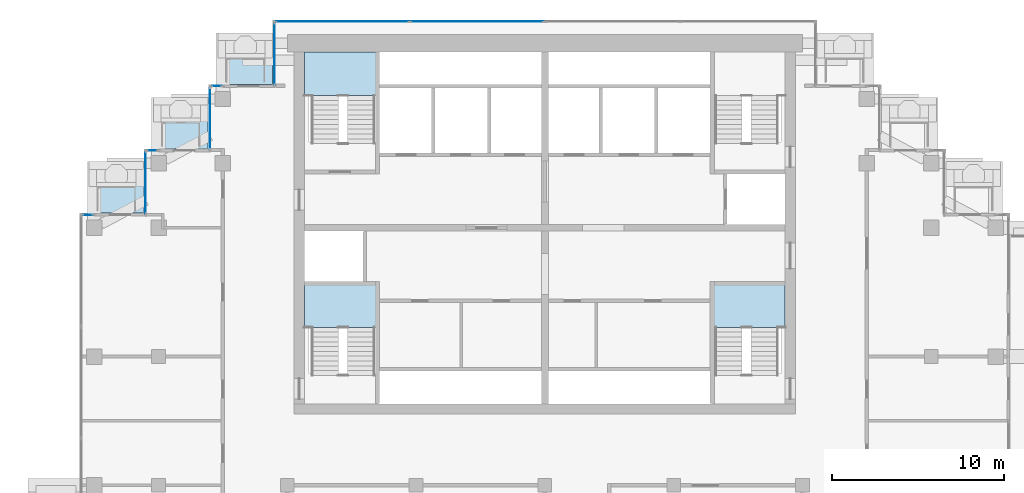
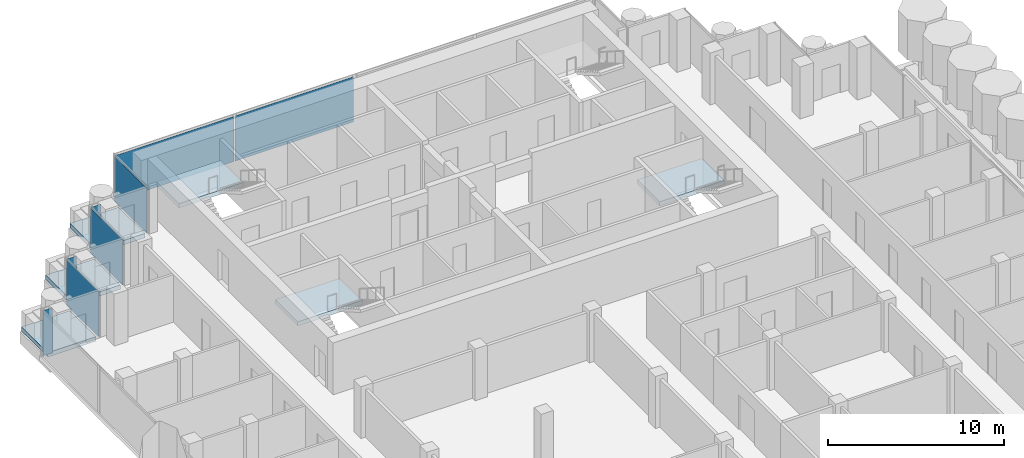
# One storey, part 9 of 19: 8 plates, 6 slabs, 10 elements without a shape of their own.
"""IFC4 building model written with IfcOpenShell, lengths in metres."""

from ifc_helpers import new_model, si_unit, direction, frame, origin, origin_2d, place, context, subcontext, project, spatial, polyline, rectangle, outline, extrude, material, layer, layer_set, type_object, element, aggregate, save


model = new_model("IFC4")

# Units and contexts
model_context = context("Model", 3, precision=1e-05, world=origin(), true_north=direction((0.0, 1.0)))
body_context = subcontext(model_context, "Body", "Model", "MODEL_VIEW")
ifc_project = project(units=[si_unit("LENGTHUNIT", "METRE"), si_unit("AREAUNIT", "SQUARE_METRE"), si_unit("VOLUMEUNIT", "CUBIC_METRE"), si_unit("PLANEANGLEUNIT", "RADIAN"), si_unit("MASSUNIT", "GRAM", prefix="KILO")], contexts=[model_context])

# Site, building, storey
site_placement = place(None, origin())
site = spatial("IfcSite", under=ifc_project, at=site_placement, CompositionType="ELEMENT")
building_placement = place(site_placement, origin())
building = spatial("IfcBuilding", under=site, at=building_placement, Name="Pilkhan Gate Tower", CompositionType="ELEMENT")
storey_placement = place(building_placement, frame((0.0, 0.0, 239.10009765625)))
storey = spatial("IfcBuildingStorey", under=building, at=storey_placement, Name="L62", CompositionType="ELEMENT", Elevation=239.10009765625)

# Slabs
ifc_material_1 = material(Name="Concrete C60/75", Category="concrete")
ifc_layer_1 = layer(ifc_material_1, 0.300048828125)
ifc_layer_set_1 = layer_set([ifc_layer_1], Name="Balcony tray slab TR300")
slab_type_1 = type_object("IfcSlabType", Name="Balcony tray slab TR300", PredefinedType="FLOOR", material=ifc_layer_set_1)
slab_1_placement = place(storey_placement, frame((0.0, 0.0, -0.300048828125)))
element("IfcSlab", 1, at=slab_1_placement, inside=storey, type_object=slab_type_1, Name="Balcony tray L62 N", PredefinedType="FLOOR", context=body_context, shape_type="SweptSolid", body=[
    extrude(outline(polyline([(59.14990234375, 90.85009765625), (59.14990234375, 93.85009765625), (55.949951171875, 93.85009765625), (55.949951171875, 90.85009765625), (59.14990234375, 90.85009765625)])), origin(), (0.0, 0.0, 1.0), 0.300048828125),
])
slab_2_placement = place(storey_placement, frame((0.0, 0.0, -0.300048828125)))
element("IfcSlab", 2, at=slab_2_placement, inside=storey, type_object=slab_type_1, Name="Balcony tray L62 N", PredefinedType="FLOOR", context=body_context, shape_type="SweptSolid", body=[
    extrude(outline(polyline([(55.3798828125, 87.1201171875), (55.3798828125, 90.10009765625), (52.199951171875, 90.10009765625), (52.199951171875, 87.1201171875), (55.3798828125, 87.1201171875)])), origin(), (0.0, 0.0, 1.0), 0.300048828125),
])
slab_3_placement = place(storey_placement, frame((0.0, 0.0, -0.300048828125)))
element("IfcSlab", 3, at=slab_3_placement, inside=storey, type_object=slab_type_1, Name="Balcony tray L62 N", PredefinedType="FLOOR", context=body_context, shape_type="SweptSolid", body=[
    extrude(outline(polyline([(51.6298828125, 83.3701171875), (51.6298828125, 86.35009765625), (48.449951171875, 86.35009765625), (48.449951171875, 83.3701171875), (51.6298828125, 83.3701171875)])), origin(), (0.0, 0.0, 1.0), 0.300048828125),
])

# Curtain wall, plates
ifc_material_2 = material(Name="Pale anodised aluminium, clear low-iron double glazing", Category="aluminium")
curtain_wall_type = type_object("IfcCurtainWallType", Name="Office unitised curtain wall CW-O2", PredefinedType="USERDEFINED", material=ifc_material_2)
curtain_wall_1_placement = place(storey_placement, origin())
curtain_wall_1 = element("IfcCurtainWall", 4, at=curtain_wall_1_placement, inside=storey, type_object=curtain_wall_type, Name="Office unitised curtain wall CW-O2 L62 N", ObjectType="UNITISED CURTAIN WALL", PredefinedType="USERDEFINED")
ifc_material_3 = material(Name="Clear low-iron double glazing", Category="glass")
ifc_layer_2 = layer(ifc_material_3, 0.031982421875)
ifc_layer_set_2 = layer_set([ifc_layer_2], Name="Glass panel CW-O2 32")
plate_type = type_object("IfcPlateType", Name="Glass panel CW-O2 32", PredefinedType="CURTAIN_PANEL", material=ifc_layer_set_2)
plate_1_placement = place(storey_placement, frame((63.203857421875, 94.5, 0.0), z_axis=(0.0, 0.0, 1.0), x_axis=(1.0, 0.0, 0.0)))
plate_1 = element("IfcPlate", 5, at=plate_1_placement, type_object=plate_type, Name="CW-O2 panel 1", PredefinedType="CURTAIN_PANEL", context=body_context, shape_type="SweptSolid", body=[
    extrude(rectangle(XDim=7.777587890625, YDim=0.031982421875, at=origin_2d()), origin(), (0.0, 0.0, 1.0), 3.135009765625),
])
plate_2_placement = place(storey_placement, frame((71.046142578125, 94.5, 0.0), z_axis=(0.0, 0.0, 1.0), x_axis=(1.0, 0.0, 0.0)))
plate_2 = element("IfcPlate", 6, at=plate_2_placement, type_object=plate_type, Name="CW-O2 panel 2", PredefinedType="CURTAIN_PANEL", context=body_context, shape_type="SweptSolid", body=[
    extrude(rectangle(XDim=7.777587890625, YDim=0.031982421875, at=origin_2d()), origin(), (0.0, 0.0, 1.0), 3.135009765625),
])
aggregate(curtain_wall_1, [plate_1, plate_2])

# Curtain wall, plate
curtain_wall_2_placement = place(storey_placement, origin())
curtain_wall_2 = element("IfcCurtainWall", 7, at=curtain_wall_2_placement, inside=storey, type_object=curtain_wall_type, Name="Office unitised curtain wall CW-O2 L62 W", ObjectType="UNITISED CURTAIN WALL", PredefinedType="USERDEFINED")
plate_3_placement = place(storey_placement, frame((59.25, 92.625, 0.0), z_axis=(0.0, 0.0, 1.0), x_axis=(0.0, 1.0, 0.0)))
plate_3 = element("IfcPlate", 8, at=plate_3_placement, type_object=plate_type, Name="CW-O2 panel 1", PredefinedType="CURTAIN_PANEL", context=body_context, shape_type="SweptSolid", body=[
    extrude(rectangle(XDim=3.6201171875, YDim=0.031982421875, at=origin_2d()), origin(), (0.0, 0.0, 1.0), 3.135009765625),
])
aggregate(curtain_wall_2, [plate_3])

curtain_wall_3_placement = place(storey_placement, origin())
curtain_wall_3 = element("IfcCurtainWall", 9, at=curtain_wall_3_placement, inside=storey, type_object=curtain_wall_type, Name="Office unitised curtain wall CW-O2 L62 N", ObjectType="UNITISED CURTAIN WALL", PredefinedType="USERDEFINED")
plate_4_placement = place(storey_placement, frame((55.875, 90.75, 0.0), z_axis=(0.0, 0.0, 1.0), x_axis=(1.0, 0.0, 0.0)))
plate_4 = element("IfcPlate", 10, at=plate_4_placement, type_object=plate_type, Name="CW-O2 panel 1", PredefinedType="CURTAIN_PANEL", context=body_context, shape_type="SweptSolid", body=[
    extrude(rectangle(XDim=0.6201171875, YDim=0.031982421875, at=origin_2d()), origin(), (0.0, 0.0, 1.0), 3.135009765625),
])
aggregate(curtain_wall_3, [plate_4])

curtain_wall_4_placement = place(storey_placement, origin())
curtain_wall_4 = element("IfcCurtainWall", 11, at=curtain_wall_4_placement, inside=storey, type_object=curtain_wall_type, Name="Office unitised curtain wall CW-O2 L62 W", ObjectType="UNITISED CURTAIN WALL", PredefinedType="USERDEFINED")
plate_5_placement = place(storey_placement, frame((55.5, 88.875, 0.0), z_axis=(0.0, 0.0, 1.0), x_axis=(0.0, 1.0, 0.0)))
plate_5 = element("IfcPlate", 12, at=plate_5_placement, type_object=plate_type, Name="CW-O2 panel 1", PredefinedType="CURTAIN_PANEL", context=body_context, shape_type="SweptSolid", body=[
    extrude(rectangle(XDim=3.6201171875, YDim=0.031982421875, at=origin_2d()), origin(), (0.0, 0.0, 1.0), 3.135009765625),
])
aggregate(curtain_wall_4, [plate_5])

curtain_wall_5_placement = place(storey_placement, origin())
curtain_wall_5 = element("IfcCurtainWall", 13, at=curtain_wall_5_placement, inside=storey, type_object=curtain_wall_type, Name="Office unitised curtain wall CW-O2 L62 N", ObjectType="UNITISED CURTAIN WALL", PredefinedType="USERDEFINED")
plate_6_placement = place(storey_placement, frame((52.125, 87.0, 0.0), z_axis=(0.0, 0.0, 1.0), x_axis=(1.0, 0.0, 0.0)))
plate_6 = element("IfcPlate", 14, at=plate_6_placement, type_object=plate_type, Name="CW-O2 panel 1", PredefinedType="CURTAIN_PANEL", context=body_context, shape_type="SweptSolid", body=[
    extrude(rectangle(XDim=0.6201171875, YDim=0.031982421875, at=origin_2d()), origin(), (0.0, 0.0, 1.0), 3.135009765625),
])
aggregate(curtain_wall_5, [plate_6])

curtain_wall_6_placement = place(storey_placement, origin())
curtain_wall_6 = element("IfcCurtainWall", 15, at=curtain_wall_6_placement, inside=storey, type_object=curtain_wall_type, Name="Office unitised curtain wall CW-O2 L62 W", ObjectType="UNITISED CURTAIN WALL", PredefinedType="USERDEFINED")
plate_7_placement = place(storey_placement, frame((51.75, 85.125, 0.0), z_axis=(0.0, 0.0, 1.0), x_axis=(0.0, 1.0, 0.0)))
plate_7 = element("IfcPlate", 16, at=plate_7_placement, type_object=plate_type, Name="CW-O2 panel 1", PredefinedType="CURTAIN_PANEL", context=body_context, shape_type="SweptSolid", body=[
    extrude(rectangle(XDim=3.6201171875, YDim=0.031982421875, at=origin_2d()), origin(), (0.0, 0.0, 1.0), 3.135009765625),
])
aggregate(curtain_wall_6, [plate_7])

curtain_wall_7_placement = place(storey_placement, origin())
curtain_wall_7 = element("IfcCurtainWall", 17, at=curtain_wall_7_placement, inside=storey, type_object=curtain_wall_type, Name="Office unitised curtain wall CW-O2 L62 N", ObjectType="UNITISED CURTAIN WALL", PredefinedType="USERDEFINED")
plate_8_placement = place(storey_placement, frame((48.375, 83.25, 0.0), z_axis=(0.0, 0.0, 1.0), x_axis=(1.0, 0.0, 0.0)))
plate_8 = element("IfcPlate", 18, at=plate_8_placement, type_object=plate_type, Name="CW-O2 panel 1", PredefinedType="CURTAIN_PANEL", context=body_context, shape_type="SweptSolid", body=[
    extrude(rectangle(XDim=0.6201171875, YDim=0.031982421875, at=origin_2d()), origin(), (0.0, 0.0, 1.0), 3.135009765625),
])
aggregate(curtain_wall_7, [plate_8])

# Stair, slab
ifc_material_4 = material(Name="Concrete C40/50 precast", Category="concrete")
stair_type_1 = type_object("IfcStairType", Name="Stair ST1 164x280", PredefinedType="HALF_TURN_STAIR", material=ifc_material_4)
stair_1_placement = place(storey_placement, origin())
stair_1 = element("IfcStair", 19, at=stair_1_placement, inside=storey, type_object=stair_type_1, Name="Stair ST1 L62", PredefinedType="HALF_TURN_STAIR")
ifc_material_5 = material(Name="Concrete C40/50", Category="concrete")
ifc_layer_3 = layer(ifc_material_5, 0.199951171875)
ifc_layer_set_3 = layer_set([ifc_layer_3], Name="Stair landing SL200")
slab_type_2 = type_object("IfcSlabType", Name="Stair landing SL200", PredefinedType="LANDING", material=ifc_layer_set_3)
slab_4_placement = place(storey_placement, frame((0.0, 0.0, 1.5)))
slab_4 = element("IfcSlab", 20, at=slab_4_placement, type_object=slab_type_2, Name="ST1 landing 1", PredefinedType="LANDING", context=body_context, shape_type="SweptSolid", body=[
    extrude(outline(polyline([(89.0, 76.699951171875), (89.0, 79.25), (84.75, 79.25), (84.75, 76.699951171875), (89.0, 76.699951171875)])), origin(), (0.0, 0.0, 1.0), 0.2998046875),
])
aggregate(stair_1, [slab_4])

stair_type_2 = type_object("IfcStairType", Name="Stair ST2 164x280", PredefinedType="HALF_TURN_STAIR", material=ifc_material_4)
stair_2_placement = place(storey_placement, origin())
stair_2 = element("IfcStair", 21, at=stair_2_placement, inside=storey, type_object=stair_type_2, Name="Stair ST2 L62", PredefinedType="HALF_TURN_STAIR")
slab_5_placement = place(storey_placement, frame((0.0, 0.0, 1.5)))
slab_5 = element("IfcSlab", 22, at=slab_5_placement, type_object=slab_type_2, Name="ST2 landing 1", PredefinedType="LANDING", context=body_context, shape_type="SweptSolid", body=[
    extrude(outline(polyline([(65.25, 76.699951171875), (65.25, 79.25), (61.0, 79.25), (61.0, 76.699951171875), (65.25, 76.699951171875)])), origin(), (0.0, 0.0, 1.0), 0.2998046875),
])
aggregate(stair_2, [slab_5])

stair_type_3 = type_object("IfcStairType", Name="Stair ST3 164x280", PredefinedType="HALF_TURN_STAIR", material=ifc_material_4)
stair_3_placement = place(storey_placement, origin())
stair_3 = element("IfcStair", 23, at=stair_3_placement, inside=storey, type_object=stair_type_3, Name="Stair ST3 L62", PredefinedType="HALF_TURN_STAIR")
slab_6_placement = place(storey_placement, frame((0.0, 0.0, 1.5)))
slab_6 = element("IfcSlab", 24, at=slab_6_placement, type_object=slab_type_2, Name="ST3 landing 1", PredefinedType="LANDING", context=body_context, shape_type="SweptSolid", body=[
    extrude(outline(polyline([(65.25, 90.199951171875), (65.25, 92.75), (61.0, 92.75), (61.0, 90.199951171875), (65.25, 90.199951171875)])), origin(), (0.0, 0.0, 1.0), 0.2998046875),
])
aggregate(stair_3, [slab_6])

save(model, "model.ifc")
